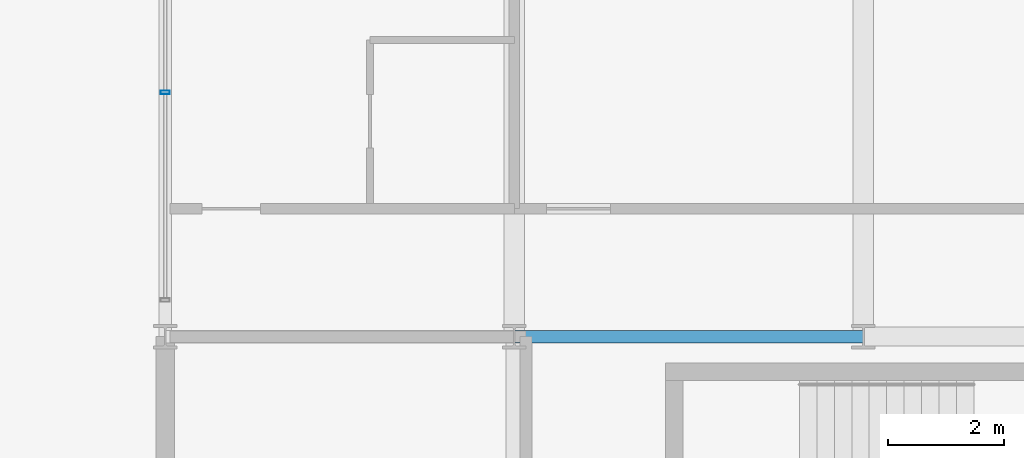
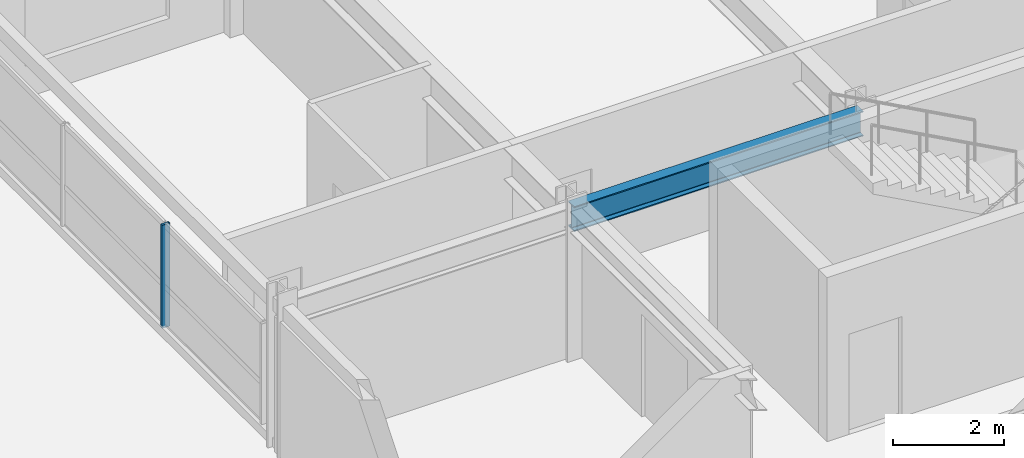
# One storey, part 7 of 21: 1 beam, 1 member, 1 element without a shape of its own.
"""IFC4 building model written with IfcOpenShell, lengths in metres."""

from ifc_helpers import new_model, si_unit, direction, frame, origin, origin_2d, place, context, subcontext, project, spatial, hollow_rectangle, i_section, extrude, material, material_profile, profile_set, type_object, element, aggregate, save


model = new_model("IFC4")

# Units and contexts
model_context = context("Model", 3, precision=1e-05, world=origin(), true_north=direction((0.0, 1.0)))
body_context = subcontext(model_context, "Body", "Model", "MODEL_VIEW")
ifc_project = project(units=[si_unit("LENGTHUNIT", "METRE"), si_unit("AREAUNIT", "SQUARE_METRE"), si_unit("VOLUMEUNIT", "CUBIC_METRE"), si_unit("PLANEANGLEUNIT", "RADIAN"), si_unit("MASSUNIT", "GRAM", prefix="KILO")], contexts=[model_context])

# Site, building, storey
site_placement = place(None, origin())
site = spatial("IfcSite", under=ifc_project, at=site_placement, CompositionType="ELEMENT")
building_placement = place(site_placement, origin())
building = spatial("IfcBuilding", under=site, at=building_placement, Name="Kaldorvane Square Convention Centre", CompositionType="ELEMENT")
storey_placement = place(building_placement, frame((0.0, 0.0, 49.19999694824219)))
storey = spatial("IfcBuildingStorey", under=building, at=storey_placement, Name="L11", CompositionType="ELEMENT", Elevation=49.19999694824219)

# Beam
ifc_material_1 = material(Name="Steel ASTM A992 Gr. 50", Category="steel")
ifc_material_profile_1 = material_profile(ifc_material_1, i_section(OverallWidth=0.213897705078125, OverallDepth=0.549102783203125, WebThickness=0.0146942138671875, FlangeThickness=0.0236053466796875, FilletRadius=0.0126953125, at=origin_2d()), Name="W21X93")
ifc_profile_set_1 = profile_set([ifc_material_profile_1], Name="Steel ASTM A992 Gr. 50")
beam_type = type_object("IfcBeamType", Name="BM-GR-W21X93", PredefinedType="BEAM", material=ifc_profile_set_1)
beam_placement = place(storey_placement, frame((36.0, 105.0, 3.011505126953125), z_axis=(1.0, 0.0, 0.0), x_axis=(0.0, 1.0, 0.0)))
element("IfcBeam", 1, at=beam_placement, inside=storey, type_object=beam_type, Name="Primary Girder (L11)", PredefinedType="BEAM", context=body_context, shape_type="SweptSolid", body=[
    extrude(i_section(OverallWidth=0.213897705078125, OverallDepth=0.549102783203125, WebThickness=0.0146942138671875, FlangeThickness=0.0236053466796875, FilletRadius=0.0126953125, at=origin_2d()), origin(), (0.0, 0.0, 1.0), 6.0),
])

# Curtain wall, member
ifc_material_2 = material(Name="Anodized Aluminum and Low-E Insulated Glazing", Category="aluminium")
curtain_wall_type = type_object("IfcCurtainWallType", Name="CW-UNI-HTL-B", PredefinedType="USERDEFINED", material=ifc_material_2)
curtain_wall_placement = place(storey_placement, origin())
curtain_wall = element("IfcCurtainWall", 2, at=curtain_wall_placement, inside=storey, type_object=curtain_wall_type, Name="Curtain Wall CW-11 (L11)", ObjectType="UNITISED GLAZING", PredefinedType="USERDEFINED")
ifc_material_profile_2 = material_profile(ifc_material_2, hollow_rectangle(XDim=0.05999755859375, YDim=0.160003662109375, WallThickness=0.003204345703125, at=origin_2d()), Name="CWM-160X60")
ifc_profile_set_2 = profile_set([ifc_material_profile_2], Name="Anodized Aluminum and Low-E Insulated Glazing")
member_type = type_object("IfcMemberType", Name="CW-MUL-160", PredefinedType="MULLION", material=ifc_profile_set_2)
member_placement = place(storey_placement, frame((30.0, 109.19999694824219, 0.1500091552734375), z_axis=(0.0, 0.0, 1.0), x_axis=(0.0, -1.0, 0.0)))
member = element("IfcMember", 3, at=member_placement, type_object=member_type, Name="CW-11 mullion 3", PredefinedType="MULLION", context=body_context, shape_type="SweptSolid", body=[
    extrude(hollow_rectangle(XDim=0.05999755859375, YDim=0.160003662109375, WallThickness=0.003204345703125, at=origin_2d()), origin(), (0.0, 0.0, 1.0), 2.2599945068359375),
])
aggregate(curtain_wall, [member])

save(model, "model.ifc")
